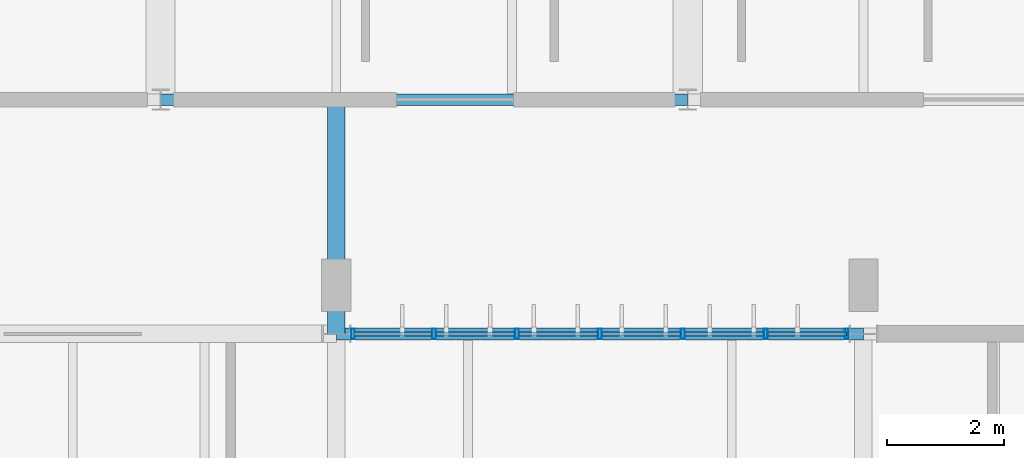
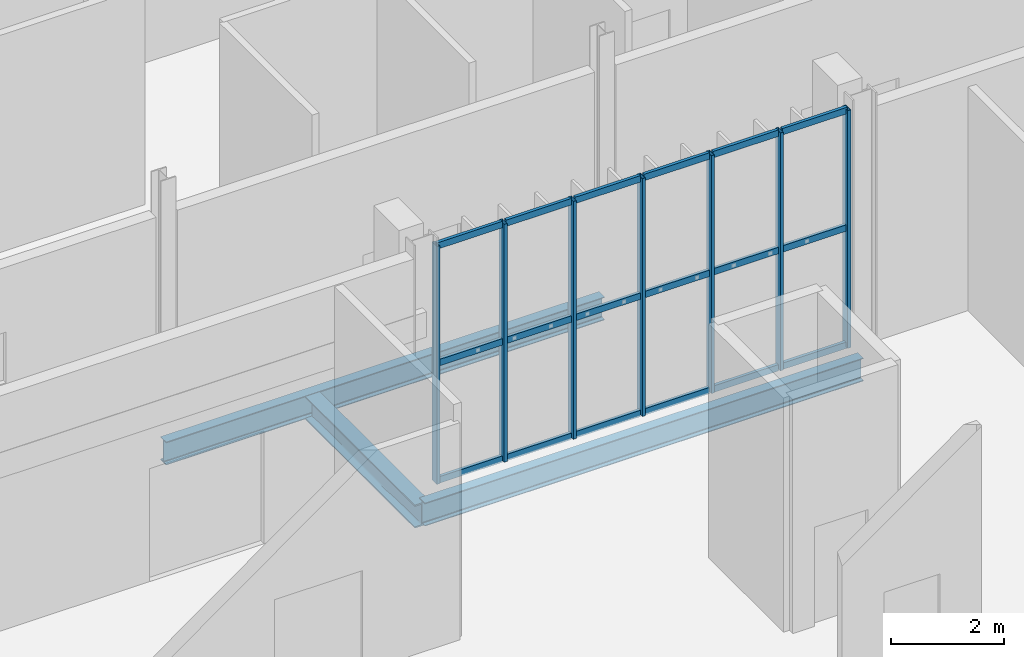
# One storey, part 64 of 158: 25 members, 3 beams, 1 element without a shape of its own.
"""IFC4 building model written with IfcOpenShell, lengths in metres."""

from ifc_helpers import new_model, si_unit, derived_unit, direction, frame, origin, origin_2d, place, context, subcontext, project, spatial, hollow_rectangle, i_section, extrude, material, material_profile, profile_set, type_object, element, aggregate, save


model = new_model("IFC4")

# Units and contexts
model_context = context("Model", 3, precision=1e-05, world=origin(), true_north=direction((0.0, 1.0)))
body_context = subcontext(model_context, "Body", "Model", "MODEL_VIEW")
ifc_project = project(units=[si_unit("LENGTHUNIT", "METRE"), si_unit("AREAUNIT", "SQUARE_METRE"), si_unit("VOLUMEUNIT", "CUBIC_METRE"), si_unit("PLANEANGLEUNIT", "RADIAN"), si_unit("MASSUNIT", "GRAM", prefix="KILO"), si_unit("THERMODYNAMICTEMPERATUREUNIT", "KELVIN"), si_unit("TIMEUNIT", "SECOND"), derived_unit("THERMALTRANSMITTANCEUNIT", [(si_unit("MASSUNIT", "GRAM", prefix="KILO"), 1), (si_unit("THERMODYNAMICTEMPERATUREUNIT", "KELVIN"), -1), (si_unit("TIMEUNIT", "SECOND"), -3)])], contexts=[model_context])

# Site, building, storey
site_placement = place(None, origin())
site = spatial("IfcSite", under=ifc_project, at=site_placement, CompositionType="ELEMENT")
building_placement = place(site_placement, origin())
building = spatial("IfcBuilding", under=site, at=building_placement, Name="Cambertide Market Hall", CompositionType="ELEMENT")
storey_placement = place(building_placement, origin())
storey = spatial("IfcBuildingStorey", under=building, at=storey_placement, Name="L01", CompositionType="ELEMENT", Elevation=0.0)

# Curtain wall, members
ifc_material_1 = material(Name="Marine Anodized Aluminium 6063-T6 AA25", Category="aluminium")
curtain_wall_type = type_object("IfcCurtainWallType", Name="Lantern Straight Lower Curtain Wall", PredefinedType="USERDEFINED", material=ifc_material_1)
curtain_wall_placement = place(storey_placement, origin())
curtain_wall = element("IfcCurtainWall", 1, at=curtain_wall_placement, inside=storey, type_object=curtain_wall_type, Name="Level 1 Curtain Wall CW-V1N-L01-3", ObjectType="UNITIZED CURTAIN WALL", PredefinedType="USERDEFINED")
ifc_material_2 = material(Name="Champagne Marine Anodized Aluminium 6063-T6 AA25", Category="aluminium")
ifc_material_profile_1 = material_profile(ifc_material_2, hollow_rectangle(XDim=0.06494140625, YDim=0.179931640625, WallThickness=0.00390625, at=origin_2d()), Name="ALU MULLION 65x180")
ifc_profile_set_1 = profile_set([ifc_material_profile_1], Name="Champagne Marine Anodized Aluminium 6063-T6 AA25")
member_type_1 = type_object("IfcMemberType", Name="Curtain Wall Mullion ALU MULLION 65x180", PredefinedType="MULLION", material=ifc_profile_set_1)
member_1_placement = place(storey_placement, frame((60.284912109375, 92.0, 0.0), z_axis=(0.0, 0.0, 1.0), x_axis=(1.0, 0.0, 0.0)))
member_1 = element("IfcMember", 2, at=member_1_placement, type_object=member_type_1, Name="CW-V1N-L01-3 Mullion 1", PredefinedType="MULLION", context=body_context, shape_type="SweptSolid", body=[
    extrude(hollow_rectangle(XDim=0.06494140625, YDim=0.179931640625, WallThickness=0.00390625, at=origin_2d()), origin(), (0.0, 0.0, 1.0), 5.159912109375),
])
member_2_placement = place(storey_placement, frame((61.666748046875, 92.0, 0.0), z_axis=(0.0, 0.0, 1.0), x_axis=(1.0, 0.0, 0.0)))
member_2 = element("IfcMember", 3, at=member_2_placement, type_object=member_type_1, Name="CW-V1N-L01-3 Mullion 2", PredefinedType="MULLION", context=body_context, shape_type="SweptSolid", body=[
    extrude(hollow_rectangle(XDim=0.06494140625, YDim=0.179931640625, WallThickness=0.00390625, at=origin_2d()), origin(), (0.0, 0.0, 1.0), 5.159912109375),
])
member_3_placement = place(storey_placement, frame((63.083251953125, 92.0, 0.0), z_axis=(0.0, 0.0, 1.0), x_axis=(1.0, 0.0, 0.0)))
member_3 = element("IfcMember", 4, at=member_3_placement, type_object=member_type_1, Name="CW-V1N-L01-3 Mullion 3", PredefinedType="MULLION", context=body_context, shape_type="SweptSolid", body=[
    extrude(hollow_rectangle(XDim=0.06494140625, YDim=0.179931640625, WallThickness=0.00390625, at=origin_2d()), origin(), (0.0, 0.0, 1.0), 5.159912109375),
])
member_4_placement = place(storey_placement, frame((64.5, 92.0, 0.0), z_axis=(0.0, 0.0, 1.0), x_axis=(1.0, 0.0, 0.0)))
member_4 = element("IfcMember", 5, at=member_4_placement, type_object=member_type_1, Name="CW-V1N-L01-3 Mullion 4", PredefinedType="MULLION", context=body_context, shape_type="SweptSolid", body=[
    extrude(hollow_rectangle(XDim=0.06494140625, YDim=0.179931640625, WallThickness=0.00390625, at=origin_2d()), origin(), (0.0, 0.0, 1.0), 5.159912109375),
])
member_5_placement = place(storey_placement, frame((65.916748046875, 92.0, 0.0), z_axis=(0.0, 0.0, 1.0), x_axis=(1.0, 0.0, 0.0)))
member_5 = element("IfcMember", 6, at=member_5_placement, type_object=member_type_1, Name="CW-V1N-L01-3 Mullion 5", PredefinedType="MULLION", context=body_context, shape_type="SweptSolid", body=[
    extrude(hollow_rectangle(XDim=0.06494140625, YDim=0.179931640625, WallThickness=0.00390625, at=origin_2d()), origin(), (0.0, 0.0, 1.0), 5.159912109375),
])
member_6_placement = place(storey_placement, frame((67.333251953125, 92.0, 0.0), z_axis=(0.0, 0.0, 1.0), x_axis=(1.0, 0.0, 0.0)))
member_6 = element("IfcMember", 7, at=member_6_placement, type_object=member_type_1, Name="CW-V1N-L01-3 Mullion 6", PredefinedType="MULLION", context=body_context, shape_type="SweptSolid", body=[
    extrude(hollow_rectangle(XDim=0.06494140625, YDim=0.179931640625, WallThickness=0.00390625, at=origin_2d()), origin(), (0.0, 0.0, 1.0), 5.159912109375),
])
member_7_placement = place(storey_placement, frame((68.715087890625, 92.0, 0.0), z_axis=(0.0, 0.0, 1.0), x_axis=(1.0, 0.0, 0.0)))
member_7 = element("IfcMember", 8, at=member_7_placement, type_object=member_type_1, Name="CW-V1N-L01-3 Mullion 7", PredefinedType="MULLION", context=body_context, shape_type="SweptSolid", body=[
    extrude(hollow_rectangle(XDim=0.06494140625, YDim=0.179931640625, WallThickness=0.00390625, at=origin_2d()), origin(), (0.0, 0.0, 1.0), 5.159912109375),
])
ifc_material_3 = material(Name="Champagne Marine Anodized Aluminium 6063-T6 AA25", Category="aluminium")
ifc_material_profile_2 = material_profile(ifc_material_3, hollow_rectangle(XDim=0.06494140625, YDim=0.139892578125, WallThickness=0.00341796875, at=origin_2d()), Name="ALU TRANSOM 65x140")
ifc_profile_set_2 = profile_set([ifc_material_profile_2], Name="Champagne Marine Anodized Aluminium 6063-T6 AA25")
member_type_2 = type_object("IfcMemberType", Name="Curtain Wall Transom ALU TRANSOM 65x140", PredefinedType="USERDEFINED", material=ifc_profile_set_2)
member_8_placement = place(storey_placement, frame((60.2900390625, 92.0, 0.034912109375), z_axis=(1.0, 0.0, 0.0), x_axis=(0.0, 1.0, 0.0)))
member_8 = element("IfcMember", 9, at=member_8_placement, type_object=member_type_2, Name="CW-V1N-L01-3 Transom 1-1", ObjectType="TRANSOM", PredefinedType="USERDEFINED", context=body_context, shape_type="SweptSolid", body=[
    extrude(hollow_rectangle(XDim=0.06494140625, YDim=0.139892578125, WallThickness=0.00341796875, at=origin_2d()), origin(), (0.0, 0.0, 1.0), 1.336669921875),
])
member_9_placement = place(storey_placement, frame((61.706787109375, 92.0, 0.034912109375), z_axis=(1.0, 0.0, 0.0), x_axis=(0.0, 1.0, 0.0)))
member_9 = element("IfcMember", 10, at=member_9_placement, type_object=member_type_2, Name="CW-V1N-L01-3 Transom 1-2", ObjectType="TRANSOM", PredefinedType="USERDEFINED", context=body_context, shape_type="SweptSolid", body=[
    extrude(hollow_rectangle(XDim=0.06494140625, YDim=0.139892578125, WallThickness=0.00341796875, at=origin_2d()), origin(), (0.0, 0.0, 1.0), 1.33642578125),
])
member_10_placement = place(storey_placement, frame((63.123291015625, 92.0, 0.034912109375), z_axis=(1.0, 0.0, 0.0), x_axis=(0.0, 1.0, 0.0)))
member_10 = element("IfcMember", 11, at=member_10_placement, type_object=member_type_2, Name="CW-V1N-L01-3 Transom 1-3", ObjectType="TRANSOM", PredefinedType="USERDEFINED", context=body_context, shape_type="SweptSolid", body=[
    extrude(hollow_rectangle(XDim=0.06494140625, YDim=0.139892578125, WallThickness=0.00341796875, at=origin_2d()), origin(), (0.0, 0.0, 1.0), 1.336669921875),
])
member_11_placement = place(storey_placement, frame((64.5400390625, 92.0, 0.034912109375), z_axis=(1.0, 0.0, 0.0), x_axis=(0.0, 1.0, 0.0)))
member_11 = element("IfcMember", 12, at=member_11_placement, type_object=member_type_2, Name="CW-V1N-L01-3 Transom 1-4", ObjectType="TRANSOM", PredefinedType="USERDEFINED", context=body_context, shape_type="SweptSolid", body=[
    extrude(hollow_rectangle(XDim=0.06494140625, YDim=0.139892578125, WallThickness=0.00341796875, at=origin_2d()), origin(), (0.0, 0.0, 1.0), 1.336669921875),
])
member_12_placement = place(storey_placement, frame((65.956787109375, 92.0, 0.034912109375), z_axis=(1.0, 0.0, 0.0), x_axis=(0.0, 1.0, 0.0)))
member_12 = element("IfcMember", 13, at=member_12_placement, type_object=member_type_2, Name="CW-V1N-L01-3 Transom 1-5", ObjectType="TRANSOM", PredefinedType="USERDEFINED", context=body_context, shape_type="SweptSolid", body=[
    extrude(hollow_rectangle(XDim=0.06494140625, YDim=0.139892578125, WallThickness=0.00341796875, at=origin_2d()), origin(), (0.0, 0.0, 1.0), 1.33642578125),
])
member_13_placement = place(storey_placement, frame((67.373291015625, 92.0, 0.034912109375), z_axis=(1.0, 0.0, 0.0), x_axis=(0.0, 1.0, 0.0)))
member_13 = element("IfcMember", 14, at=member_13_placement, type_object=member_type_2, Name="CW-V1N-L01-3 Transom 1-6", ObjectType="TRANSOM", PredefinedType="USERDEFINED", context=body_context, shape_type="SweptSolid", body=[
    extrude(hollow_rectangle(XDim=0.06494140625, YDim=0.139892578125, WallThickness=0.00341796875, at=origin_2d()), origin(), (0.0, 0.0, 1.0), 1.336669921875),
])
member_14_placement = place(storey_placement, frame((60.2900390625, 92.0, 2.580078125), z_axis=(1.0, 0.0, 0.0), x_axis=(0.0, 1.0, 0.0)))
member_14 = element("IfcMember", 15, at=member_14_placement, type_object=member_type_2, Name="CW-V1N-L01-3 Transom 2-1", ObjectType="TRANSOM", PredefinedType="USERDEFINED", context=body_context, shape_type="SweptSolid", body=[
    extrude(hollow_rectangle(XDim=0.06494140625, YDim=0.139892578125, WallThickness=0.00341796875, at=origin_2d()), origin(), (0.0, 0.0, 1.0), 1.336669921875),
])
member_15_placement = place(storey_placement, frame((61.706787109375, 92.0, 2.580078125), z_axis=(1.0, 0.0, 0.0), x_axis=(0.0, 1.0, 0.0)))
member_15 = element("IfcMember", 16, at=member_15_placement, type_object=member_type_2, Name="CW-V1N-L01-3 Transom 2-2", ObjectType="TRANSOM", PredefinedType="USERDEFINED", context=body_context, shape_type="SweptSolid", body=[
    extrude(hollow_rectangle(XDim=0.06494140625, YDim=0.139892578125, WallThickness=0.00341796875, at=origin_2d()), origin(), (0.0, 0.0, 1.0), 1.33642578125),
])
member_16_placement = place(storey_placement, frame((63.123291015625, 92.0, 2.580078125), z_axis=(1.0, 0.0, 0.0), x_axis=(0.0, 1.0, 0.0)))
member_16 = element("IfcMember", 17, at=member_16_placement, type_object=member_type_2, Name="CW-V1N-L01-3 Transom 2-3", ObjectType="TRANSOM", PredefinedType="USERDEFINED", context=body_context, shape_type="SweptSolid", body=[
    extrude(hollow_rectangle(XDim=0.06494140625, YDim=0.139892578125, WallThickness=0.00341796875, at=origin_2d()), origin(), (0.0, 0.0, 1.0), 1.336669921875),
])
member_17_placement = place(storey_placement, frame((64.5400390625, 92.0, 2.580078125), z_axis=(1.0, 0.0, 0.0), x_axis=(0.0, 1.0, 0.0)))
member_17 = element("IfcMember", 18, at=member_17_placement, type_object=member_type_2, Name="CW-V1N-L01-3 Transom 2-4", ObjectType="TRANSOM", PredefinedType="USERDEFINED", context=body_context, shape_type="SweptSolid", body=[
    extrude(hollow_rectangle(XDim=0.06494140625, YDim=0.139892578125, WallThickness=0.00341796875, at=origin_2d()), origin(), (0.0, 0.0, 1.0), 1.336669921875),
])
member_18_placement = place(storey_placement, frame((65.956787109375, 92.0, 2.580078125), z_axis=(1.0, 0.0, 0.0), x_axis=(0.0, 1.0, 0.0)))
member_18 = element("IfcMember", 19, at=member_18_placement, type_object=member_type_2, Name="CW-V1N-L01-3 Transom 2-5", ObjectType="TRANSOM", PredefinedType="USERDEFINED", context=body_context, shape_type="SweptSolid", body=[
    extrude(hollow_rectangle(XDim=0.06494140625, YDim=0.139892578125, WallThickness=0.00341796875, at=origin_2d()), origin(), (0.0, 0.0, 1.0), 1.33642578125),
])
member_19_placement = place(storey_placement, frame((67.373291015625, 92.0, 2.580078125), z_axis=(1.0, 0.0, 0.0), x_axis=(0.0, 1.0, 0.0)))
member_19 = element("IfcMember", 20, at=member_19_placement, type_object=member_type_2, Name="CW-V1N-L01-3 Transom 2-6", ObjectType="TRANSOM", PredefinedType="USERDEFINED", context=body_context, shape_type="SweptSolid", body=[
    extrude(hollow_rectangle(XDim=0.06494140625, YDim=0.139892578125, WallThickness=0.00341796875, at=origin_2d()), origin(), (0.0, 0.0, 1.0), 1.336669921875),
])
member_20_placement = place(storey_placement, frame((60.2900390625, 92.0, 5.125), z_axis=(1.0, 0.0, 0.0), x_axis=(0.0, 1.0, 0.0)))
member_20 = element("IfcMember", 21, at=member_20_placement, type_object=member_type_2, Name="CW-V1N-L01-3 Transom 3-1", ObjectType="TRANSOM", PredefinedType="USERDEFINED", context=body_context, shape_type="SweptSolid", body=[
    extrude(hollow_rectangle(XDim=0.06494140625, YDim=0.139892578125, WallThickness=0.00341796875, at=origin_2d()), origin(), (0.0, 0.0, 1.0), 1.336669921875),
])
member_21_placement = place(storey_placement, frame((61.706787109375, 92.0, 5.125), z_axis=(1.0, 0.0, 0.0), x_axis=(0.0, 1.0, 0.0)))
member_21 = element("IfcMember", 22, at=member_21_placement, type_object=member_type_2, Name="CW-V1N-L01-3 Transom 3-2", ObjectType="TRANSOM", PredefinedType="USERDEFINED", context=body_context, shape_type="SweptSolid", body=[
    extrude(hollow_rectangle(XDim=0.06494140625, YDim=0.139892578125, WallThickness=0.00341796875, at=origin_2d()), origin(), (0.0, 0.0, 1.0), 1.33642578125),
])
member_22_placement = place(storey_placement, frame((63.123291015625, 92.0, 5.125), z_axis=(1.0, 0.0, 0.0), x_axis=(0.0, 1.0, 0.0)))
member_22 = element("IfcMember", 23, at=member_22_placement, type_object=member_type_2, Name="CW-V1N-L01-3 Transom 3-3", ObjectType="TRANSOM", PredefinedType="USERDEFINED", context=body_context, shape_type="SweptSolid", body=[
    extrude(hollow_rectangle(XDim=0.06494140625, YDim=0.139892578125, WallThickness=0.00341796875, at=origin_2d()), origin(), (0.0, 0.0, 1.0), 1.336669921875),
])
member_23_placement = place(storey_placement, frame((64.5400390625, 92.0, 5.125), z_axis=(1.0, 0.0, 0.0), x_axis=(0.0, 1.0, 0.0)))
member_23 = element("IfcMember", 24, at=member_23_placement, type_object=member_type_2, Name="CW-V1N-L01-3 Transom 3-4", ObjectType="TRANSOM", PredefinedType="USERDEFINED", context=body_context, shape_type="SweptSolid", body=[
    extrude(hollow_rectangle(XDim=0.06494140625, YDim=0.139892578125, WallThickness=0.00341796875, at=origin_2d()), origin(), (0.0, 0.0, 1.0), 1.336669921875),
])
member_24_placement = place(storey_placement, frame((65.956787109375, 92.0, 5.125), z_axis=(1.0, 0.0, 0.0), x_axis=(0.0, 1.0, 0.0)))
member_24 = element("IfcMember", 25, at=member_24_placement, type_object=member_type_2, Name="CW-V1N-L01-3 Transom 3-5", ObjectType="TRANSOM", PredefinedType="USERDEFINED", context=body_context, shape_type="SweptSolid", body=[
    extrude(hollow_rectangle(XDim=0.06494140625, YDim=0.139892578125, WallThickness=0.00341796875, at=origin_2d()), origin(), (0.0, 0.0, 1.0), 1.33642578125),
])
member_25_placement = place(storey_placement, frame((67.373291015625, 92.0, 5.125), z_axis=(1.0, 0.0, 0.0), x_axis=(0.0, 1.0, 0.0)))
member_25 = element("IfcMember", 26, at=member_25_placement, type_object=member_type_2, Name="CW-V1N-L01-3 Transom 3-6", ObjectType="TRANSOM", PredefinedType="USERDEFINED", context=body_context, shape_type="SweptSolid", body=[
    extrude(hollow_rectangle(XDim=0.06494140625, YDim=0.139892578125, WallThickness=0.00341796875, at=origin_2d()), origin(), (0.0, 0.0, 1.0), 1.336669921875),
])
aggregate(curtain_wall, [member_1, member_2, member_3, member_4, member_5, member_6, member_7, member_8, member_9, member_10, member_11, member_12, member_13, member_14, member_15, member_16, member_17, member_18, member_19, member_20, member_21, member_22, member_23, member_24, member_25])

# Beams
ifc_material_4 = material(Name="Steel S355", Category="steel")
ifc_material_profile_3 = material_profile(ifc_material_4, i_section(OverallWidth=0.300048828125, OverallDepth=0.5, WebThickness=0.014404296875, FlangeThickness=0.028076171875, FilletRadius=0.027099609375, at=origin_2d()), Name="HEB 500")
ifc_profile_set_3 = profile_set([ifc_material_profile_3], Name="Steel S355")
beam_type_1 = type_object("IfcBeamType", Name="Steel Girder HEB 500", PredefinedType="BEAM", material=ifc_profile_set_3)
beam_placement = place(storey_placement, frame((60.0, 92.0, -0.610107421875), z_axis=(0.0, 1.0, 0.0), x_axis=(-1.0, 0.0, 0.0)))
element("IfcBeam", 27, at=beam_placement, inside=storey, type_object=beam_type_1, Name="Level 1 Beam TIE-V1V2-2", PredefinedType="BEAM", context=body_context, shape_type="SweptSolid", body=[
    extrude(i_section(OverallWidth=0.300048828125, OverallDepth=0.5, WebThickness=0.014404296875, FlangeThickness=0.028076171875, FilletRadius=0.027099609375, at=origin_2d()), origin(), (0.0, 0.0, 1.0), 3.89208984375),
])
ifc_material_5 = material(Name="Steel S355", Category="steel")
ifc_material_profile_4 = material_profile(ifc_material_5, i_section(OverallWidth=0.199951171875, OverallDepth=0.5, WebThickness=0.01025390625, FlangeThickness=0.01611328125, FilletRadius=0.02099609375, at=origin_2d()), Name="IPE 500")
ifc_profile_set_4 = profile_set([ifc_material_profile_4], Name="Steel S355")
beam_type_2 = type_object("IfcBeamType", Name="Steel Girder IPE 500", PredefinedType="BEAM", material=ifc_profile_set_4)
for number, where, z_axis, x_axis, name in (
    (28, (60.0, 92.0, -0.56005859375), (1.0, 0.0, 0.0), (0.0, 1.0, 0.0), "Level 1 Beam BM-V1N-L01-3"),
    (29, (57.0, 96.0, -0.610107421875), (1.0, 0.0, 0.0), (0.0, 1.0, 0.0), "Level 1 Beam BM-V2X-L01-6-1"),
):
    element("IfcBeam", number, at=place(storey_placement, frame(where, z_axis=z_axis, x_axis=x_axis)), inside=storey, type_object=beam_type_2, Name=name, PredefinedType="BEAM", context=body_context, shape_type="SweptSolid", body=[
        extrude(i_section(OverallWidth=0.199951171875, OverallDepth=0.5, WebThickness=0.01025390625, FlangeThickness=0.01611328125, FilletRadius=0.02099609375, at=origin_2d()), origin(), (0.0, 0.0, 1.0), 9.0),
    ])

save(model, "model.ifc")
